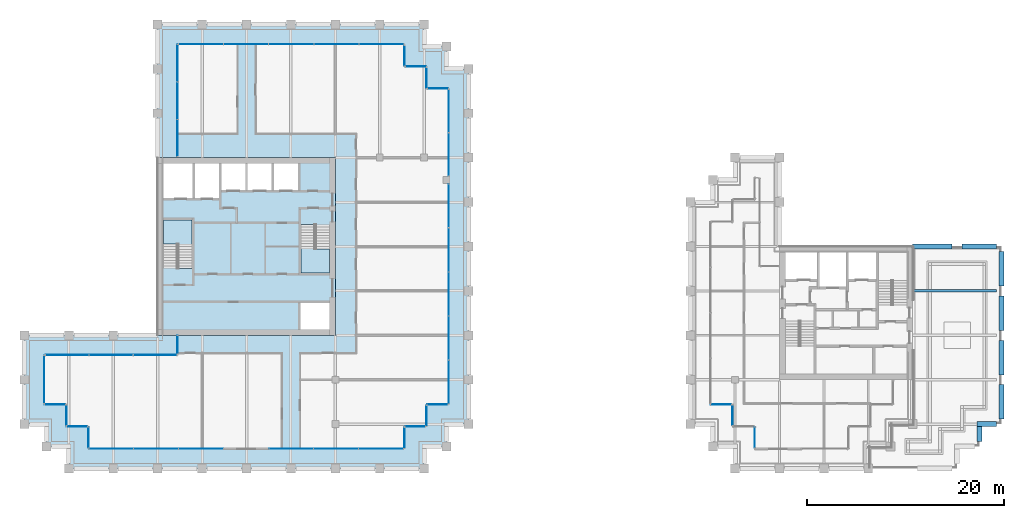
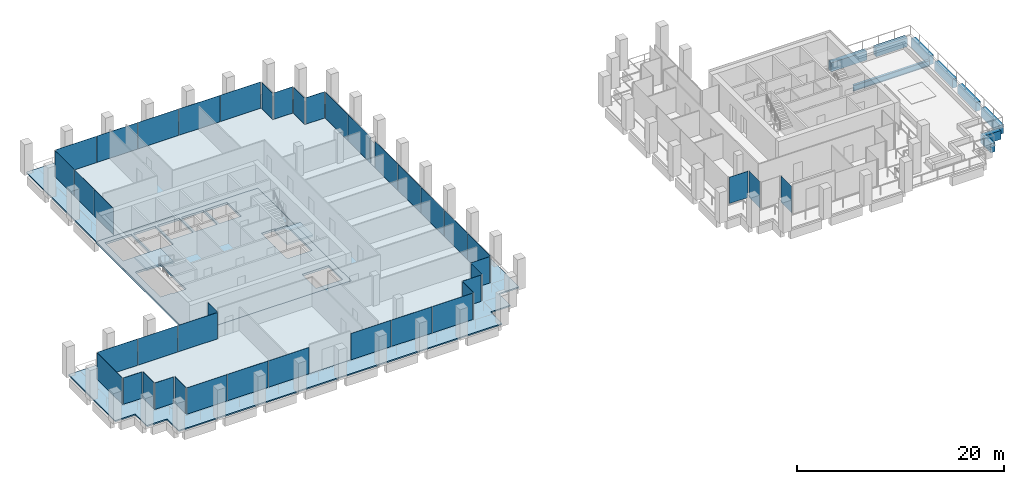
# One storey, part 36 of 44: 41 plates, 9 beams, 5 slabs, 26 elements without a shape of their own.
"""IFC4 building model written with IfcOpenShell, lengths in metres."""

from ifc_helpers import new_model, si_unit, direction, frame, origin, origin_2d, place, context, subcontext, project, spatial, polyline, rectangle, i_section, outline, extrude, material, layer, layer_set, material_profile, profile_set, type_object, element, aggregate, save


model = new_model("IFC4")

# Units and contexts
model_context = context("Model", 3, precision=1e-05, world=origin(), true_north=direction((0.0, 1.0)))
body_context = subcontext(model_context, "Body", "Model", "MODEL_VIEW")
ifc_project = project(units=[si_unit("LENGTHUNIT", "METRE"), si_unit("AREAUNIT", "SQUARE_METRE"), si_unit("VOLUMEUNIT", "CUBIC_METRE"), si_unit("PLANEANGLEUNIT", "RADIAN"), si_unit("MASSUNIT", "GRAM", prefix="KILO")], contexts=[model_context])

# Site, building, storey
site_placement = place(None, origin())
site = spatial("IfcSite", under=ifc_project, at=site_placement, CompositionType="ELEMENT")
building_placement = place(site_placement, origin())
building = spatial("IfcBuilding", under=site, at=building_placement, Name="Altepetl Exchange Towers", CompositionType="ELEMENT")
storey_placement = place(building_placement, frame((0.0, 0.0, 143.800048828125)))
storey = spatial("IfcBuildingStorey", under=building, at=storey_placement, Name="L35", CompositionType="ELEMENT", Elevation=143.800048828125)

# Beams
ifc_material_1 = material(Name="Steel S355", Category="steel")
ifc_material_profile_1 = material_profile(ifc_material_1, i_section(OverallWidth=0.25390625, OverallDepth=0.68798828125, WebThickness=0.01318359375, FlangeThickness=0.02099609375, at=origin_2d()), Name="W27X102")
ifc_profile_set_1 = profile_set([ifc_material_profile_1], Name="Steel S355")
beam_type_1 = type_object("IfcBeamType", Name="Floor beam W27X102", PredefinedType="BEAM", material=ifc_profile_set_1)
beam_1_placement = place(storey_placement, frame((117.0, 45.0, -0.494140625), z_axis=(1.0, 0.0, 0.0), x_axis=(0.0, 1.0, 0.0)))
element("IfcBeam", 1, at=beam_1_placement, inside=storey, type_object=beam_type_1, Name="bm:B:L35:t003", PredefinedType="BEAM", context=body_context, shape_type="SweptSolid", body=[
    extrude(i_section(OverallWidth=0.25390625, OverallDepth=0.68798828125, WebThickness=0.01318359375, FlangeThickness=0.02099609375, at=origin_2d()), origin(), (0.0, 0.0, 1.0), 8.5),
])
ifc_material_2 = material(Name="Concrete C50/60 precast with cantera amarilla facing", Category="concrete")
ifc_material_profile_2 = material_profile(ifc_material_2, rectangle(XDim=0.5, YDim=1.050048828125, at=origin_2d()), Name="500 x 1050")
ifc_profile_set_2 = profile_set([ifc_material_profile_2], Name="Concrete C50/60 precast with cantera amarilla facing")
beam_type_2 = type_object("IfcBeamType", Name="Spandrel beam 500x1050 cantera amarilla", PredefinedType="SPANDREL", material=ifc_profile_set_2)
beam_2_placement = place(storey_placement, frame((125.5, 49.5, -0.675048828125), z_axis=(-1.0, 0.0, 0.0), x_axis=(0.0, -1.0, 0.0)))
element("IfcBeam", 2, at=beam_2_placement, inside=storey, type_object=beam_type_2, Name="sp:B:L35:t009", PredefinedType="SPANDREL", context=body_context, shape_type="SweptSolid", body=[
    extrude(rectangle(XDim=0.5, YDim=1.050048828125, at=origin_2d()), origin(), (0.0, 0.0, 1.0), 3.5),
])
beam_3_placement = place(storey_placement, frame((121.0, 49.5, -0.675048828125), z_axis=(-1.0, 0.0, 0.0), x_axis=(0.0, -1.0, 0.0)))
element("IfcBeam", 3, at=beam_3_placement, inside=storey, type_object=beam_type_2, Name="sp:B:L35:t010", PredefinedType="SPANDREL", context=body_context, shape_type="SweptSolid", body=[
    extrude(rectangle(XDim=0.5, YDim=1.050048828125, at=origin_2d()), origin(), (0.0, 0.0, 1.0), 4.0),
])
ifc_material_3 = material(Name="Concrete C50/60 precast with cantera blanca facing", Category="concrete")
ifc_material_profile_3 = material_profile(ifc_material_3, rectangle(XDim=0.5, YDim=1.050048828125, at=origin_2d()), Name="500 x 1050")
ifc_profile_set_3 = profile_set([ifc_material_profile_3], Name="Concrete C50/60 precast with cantera blanca facing")
beam_type_3 = type_object("IfcBeamType", Name="Spandrel beam 500x1050 cantera blanca", PredefinedType="SPANDREL", material=ifc_profile_set_3)
beam_4_placement = place(storey_placement, frame((123.75, 29.75, -0.675048828125), z_axis=(0.0, 1.0, 0.0), x_axis=(-1.0, 0.0, 0.0)))
element("IfcBeam", 4, at=beam_4_placement, inside=storey, type_object=beam_type_3, Name="sp:B:L35:t003", PredefinedType="SPANDREL", context=body_context, shape_type="SweptSolid", body=[
    extrude(rectangle(XDim=0.5, YDim=1.050048828125, at=origin_2d()), origin(), (0.0, 0.0, 1.0), 1.5),
])
beam_5_placement = place(storey_placement, frame((123.5, 31.5, -0.675048828125), z_axis=(1.0, 0.0, 0.0), x_axis=(0.0, 1.0, 0.0)))
element("IfcBeam", 5, at=beam_5_placement, inside=storey, type_object=beam_type_3, Name="sp:B:L35:t004", PredefinedType="SPANDREL", context=body_context, shape_type="SweptSolid", body=[
    extrude(rectangle(XDim=0.5, YDim=1.050048828125, at=origin_2d()), origin(), (0.0, 0.0, 1.0), 2.0),
])
for number, where, z_axis, x_axis, name in (
    (6, (126.0, 32.0, -0.675048828125), (0.0, 1.0, 0.0), (-1.0, 0.0, 0.0), "sp:B:L35:t005"),
    (7, (126.0, 36.5, -0.675048828125), (0.0, 1.0, 0.0), (-1.0, 0.0, 0.0), "sp:B:L35:t006"),
    (8, (126.0, 41.0, -0.675048828125), (0.0, 1.0, 0.0), (-1.0, 0.0, 0.0), "sp:B:L35:t007"),
    (9, (126.0, 45.5, -0.675048828125), (0.0, 1.0, 0.0), (-1.0, 0.0, 0.0), "sp:B:L35:t008"),
):
    element("IfcBeam", number, at=place(storey_placement, frame(where, z_axis=z_axis, x_axis=x_axis)), inside=storey, type_object=beam_type_3, Name=name, PredefinedType="SPANDREL", context=body_context, shape_type="SweptSolid", body=[
        extrude(rectangle(XDim=0.5, YDim=1.050048828125, at=origin_2d()), origin(), (0.0, 0.0, 1.0), 3.5),
    ])

# Slabs
ifc_material_4 = material(Name="Concrete C40/50", Category="concrete")
ifc_layer_1 = layer(ifc_material_4, 0.14990234375)
ifc_layer_set_1 = layer_set([ifc_layer_1], Name="Concrete C40/50")
slab_type_1 = type_object("IfcSlabType", Name="Composite floor slab 150", PredefinedType="FLOOR", material=ifc_layer_set_1)
slab_1_placement = place(storey_placement, frame((0.0, 0.0, -0.150146484375)))
element("IfcSlab", 10, at=slab_1_placement, inside=storey, type_object=slab_type_1, Name="slab:A:L35:strip0", PredefinedType="FLOOR", context=body_context, shape_type="SweptSolid", body=[
    extrude(outline(polyline([(42.5, 70.0), (42.5, 58.5), (58.5, 58.5), (58.5, 40.5), (42.5, 40.5), (42.5, 38.5), (29.0, 38.5), (29.0, 33.5), (31.25, 33.5), (31.25, 31.25), (33.5, 31.25), (33.5, 29.0), (65.5, 29.0), (65.5, 31.25), (67.75, 31.25), (67.75, 33.5), (70.0, 33.5), (70.0, 65.5), (67.75, 65.5), (67.75, 67.75), (65.5, 67.75), (65.5, 70.0), (42.5, 70.0)])), origin(), (0.0, 0.0, 1.0), 0.150146484375),
])
ifc_layer_2 = layer(ifc_material_4, 0.25)
ifc_layer_set_2 = layer_set([ifc_layer_2], Name="Concrete C40/50")
slab_type_2 = type_object("IfcSlabType", Name="Core floor slab 250", PredefinedType="FLOOR", material=ifc_layer_set_2)
slab_2_placement = place(storey_placement, frame((0.0, 0.0, -0.25)))
element("IfcSlab", 11, at=slab_2_placement, inside=storey, type_object=slab_type_2, Name="slab:A:L35:core0", PredefinedType="FLOOR", context=body_context, shape_type="SweptSolid", body=[
    extrude(outline(polyline([(40.5, 40.5), (58.5, 40.5), (58.5, 58.5), (40.5, 58.5), (40.5, 40.5)]), holes=[polyline([(54.93310546875, 43.800048828125), (57.89990234375, 43.800048828125), (57.89990234375, 41.10009765625), (54.93310546875, 41.10009765625), (54.93310546875, 43.800048828125)]), polyline([(55.0, 51.7490234375), (56.5, 51.7490234375), (56.5, 51.64990234375), (57.800048828125, 51.64990234375), (57.800048828125, 46.800048828125), (55.0, 46.800048828125), (55.0, 51.7490234375)]), polyline([(44.0, 47.2509765625), (42.5, 47.2509765625), (42.5, 47.35009765625), (41.199951171875, 47.35009765625), (41.199951171875, 52.199951171875), (44.0, 52.199951171875), (44.0, 47.2509765625)]), polyline([(41.10009765625, 57.89990234375), (44.06689453125, 57.89990234375), (44.06689453125, 54.39990234375), (41.10009765625, 54.39990234375), (41.10009765625, 57.89990234375)]), polyline([(44.26708984375, 57.89990234375), (46.73291015625, 57.89990234375), (46.73291015625, 54.39990234375), (44.26708984375, 54.39990234375), (44.26708984375, 57.89990234375)]), polyline([(46.93310546875, 57.89990234375), (49.39990234375, 57.89990234375), (49.39990234375, 55.199951171875), (46.93310546875, 55.199951171875), (46.93310546875, 57.89990234375)]), polyline([(49.60009765625, 57.89990234375), (52.06689453125, 57.89990234375), (52.06689453125, 55.199951171875), (49.60009765625, 55.199951171875), (49.60009765625, 57.89990234375)]), polyline([(52.26708984375, 57.89990234375), (54.73291015625, 57.89990234375), (54.73291015625, 55.199951171875), (52.26708984375, 55.199951171875), (52.26708984375, 57.89990234375)])]), origin(), (0.0, 0.0, 1.0), 0.25),
])

# Curtain wall, plate
ifc_material_5 = material(Name="Aluminium 6063-T6 glazing", Category="aluminium")
curtain_wall_type = type_object("IfcCurtainWallType", Name="Loggia glazing system", PredefinedType="NOTDEFINED", material=ifc_material_5)
curtain_wall_1_placement = place(storey_placement, origin())
curtain_wall_1 = element("IfcCurtainWall", 12, at=curtain_wall_1_placement, inside=storey, type_object=curtain_wall_type, Name="CW1 run", PredefinedType="NOTDEFINED")
ifc_material_6 = material(Name="Glass 6-16-6 low emissivity", Category="glass")
ifc_layer_3 = layer(ifc_material_6, 0.028076171875)
ifc_layer_set_3 = layer_set([ifc_layer_3], Name="Glass 6-16-6 low emissivity")
plate_type = type_object("IfcPlateType", Name="Glass panel 28 double glazed", PredefinedType="CURTAIN_PANEL", material=ifc_layer_set_3)
plate_1_placement = place(storey_placement, frame((42.5, 39.53759765625, 0.0), z_axis=(0.0, 0.0, 1.0), x_axis=(0.0, -1.0, 0.0)))
plate_1 = element("IfcPlate", 13, at=plate_1_placement, type_object=plate_type, Name="GP1 panel", PredefinedType="CURTAIN_PANEL", context=body_context, shape_type="SweptSolid", body=[
    extrude(rectangle(XDim=1.804931640625, YDim=0.028076171875, at=origin_2d()), origin(), (0.0, 0.0, 1.0), 3.10009765625),
])
aggregate(curtain_wall_1, [plate_1])

# Curtain wall, plates
curtain_wall_2_placement = place(storey_placement, origin())
curtain_wall_2 = element("IfcCurtainWall", 14, at=curtain_wall_2_placement, inside=storey, type_object=curtain_wall_type, Name="CW1 run", PredefinedType="NOTDEFINED")
plate_2_placement = place(storey_placement, frame((40.24755859375, 38.5, 0.0), z_axis=(0.0, 0.0, 1.0), x_axis=(-1.0, 0.0, 0.0)))
plate_2 = element("IfcPlate", 15, at=plate_2_placement, type_object=plate_type, Name="GP1 panel", PredefinedType="CURTAIN_PANEL", context=body_context, shape_type="SweptSolid", body=[
    extrude(rectangle(XDim=4.385009765625, YDim=0.028076171875, at=origin_2d()), origin(), (0.0, 0.0, 1.0), 3.10009765625),
])
plate_3_placement = place(storey_placement, frame((35.78759765625, 38.5, 0.0), z_axis=(0.0, 0.0, 1.0), x_axis=(-1.0, 0.0, 0.0)))
plate_3 = element("IfcPlate", 16, at=plate_3_placement, type_object=plate_type, Name="GP1 panel", PredefinedType="CURTAIN_PANEL", context=body_context, shape_type="SweptSolid", body=[
    extrude(rectangle(XDim=4.4150390625, YDim=0.028076171875, at=origin_2d()), origin(), (0.0, 0.0, 1.0), 3.10009765625),
])
plate_4_placement = place(storey_placement, frame((31.327392578125, 38.5, 0.0), z_axis=(0.0, 0.0, 1.0), x_axis=(-1.0, 0.0, 0.0)))
plate_4 = element("IfcPlate", 17, at=plate_4_placement, type_object=plate_type, Name="GP1 panel", PredefinedType="CURTAIN_PANEL", context=body_context, shape_type="SweptSolid", body=[
    extrude(rectangle(XDim=4.385009765625, YDim=0.028076171875, at=origin_2d()), origin(), (0.0, 0.0, 1.0), 3.10009765625),
])
aggregate(curtain_wall_2, [plate_2, plate_3, plate_4])

# Curtain wall, plate
curtain_wall_3_placement = place(storey_placement, origin())
curtain_wall_3 = element("IfcCurtainWall", 18, at=curtain_wall_3_placement, inside=storey, type_object=curtain_wall_type, Name="CW1 run", PredefinedType="NOTDEFINED")
plate_5_placement = place(storey_placement, frame((29.0, 36.03759765625, 0.0), z_axis=(0.0, 0.0, 1.0), x_axis=(0.0, -1.0, 0.0)))
plate_5 = element("IfcPlate", 19, at=plate_5_placement, type_object=plate_type, Name="GP1 panel", PredefinedType="CURTAIN_PANEL", context=body_context, shape_type="SweptSolid", body=[
    extrude(rectangle(XDim=4.804931640625, YDim=0.028076171875, at=origin_2d()), origin(), (0.0, 0.0, 1.0), 3.10009765625),
])
aggregate(curtain_wall_3, [plate_5])

curtain_wall_4_placement = place(storey_placement, origin())
curtain_wall_4 = element("IfcCurtainWall", 20, at=curtain_wall_4_placement, inside=storey, type_object=curtain_wall_type, Name="CW1 run", PredefinedType="NOTDEFINED")
plate_6_placement = place(storey_placement, frame((30.08740234375, 33.5, 0.0)))
plate_6 = element("IfcPlate", 21, at=plate_6_placement, type_object=plate_type, Name="GP1 panel", PredefinedType="CURTAIN_PANEL", context=body_context, shape_type="SweptSolid", body=[
    extrude(rectangle(XDim=2.054931640625, YDim=0.028076171875, at=origin_2d()), origin(), (0.0, 0.0, 1.0), 3.10009765625),
])
aggregate(curtain_wall_4, [plate_6])

curtain_wall_5_placement = place(storey_placement, origin())
curtain_wall_5 = element("IfcCurtainWall", 22, at=curtain_wall_5_placement, inside=storey, type_object=curtain_wall_type, Name="CW1 run", PredefinedType="NOTDEFINED")
plate_7_placement = place(storey_placement, frame((31.25, 32.41259765625, 0.0), z_axis=(0.0, 0.0, 1.0), x_axis=(0.0, -1.0, 0.0)))
plate_7 = element("IfcPlate", 23, at=plate_7_placement, type_object=plate_type, Name="GP1 panel", PredefinedType="CURTAIN_PANEL", context=body_context, shape_type="SweptSolid", body=[
    extrude(rectangle(XDim=2.054931640625, YDim=0.028076171875, at=origin_2d()), origin(), (0.0, 0.0, 1.0), 3.10009765625),
])
aggregate(curtain_wall_5, [plate_7])

curtain_wall_6_placement = place(storey_placement, origin())
curtain_wall_6 = element("IfcCurtainWall", 24, at=curtain_wall_6_placement, inside=storey, type_object=curtain_wall_type, Name="CW1 run", PredefinedType="NOTDEFINED")
plate_8_placement = place(storey_placement, frame((32.33740234375, 31.25, 0.0)))
plate_8 = element("IfcPlate", 25, at=plate_8_placement, type_object=plate_type, Name="GP1 panel", PredefinedType="CURTAIN_PANEL", context=body_context, shape_type="SweptSolid", body=[
    extrude(rectangle(XDim=2.054931640625, YDim=0.028076171875, at=origin_2d()), origin(), (0.0, 0.0, 1.0), 3.10009765625),
])
aggregate(curtain_wall_6, [plate_8])

curtain_wall_7_placement = place(storey_placement, origin())
curtain_wall_7 = element("IfcCurtainWall", 26, at=curtain_wall_7_placement, inside=storey, type_object=curtain_wall_type, Name="CW1 run", PredefinedType="NOTDEFINED")
plate_9_placement = place(storey_placement, frame((33.5, 30.16259765625, 0.0), z_axis=(0.0, 0.0, 1.0), x_axis=(0.0, -1.0, 0.0)))
plate_9 = element("IfcPlate", 27, at=plate_9_placement, type_object=plate_type, Name="GP1 panel", PredefinedType="CURTAIN_PANEL", context=body_context, shape_type="SweptSolid", body=[
    extrude(rectangle(XDim=2.054931640625, YDim=0.028076171875, at=origin_2d()), origin(), (0.0, 0.0, 1.0), 3.10009765625),
])
aggregate(curtain_wall_7, [plate_9])

# Curtain wall, plates
curtain_wall_8_placement = place(storey_placement, origin())
curtain_wall_8 = element("IfcCurtainWall", 28, at=curtain_wall_8_placement, inside=storey, type_object=curtain_wall_type, Name="CW1 run", PredefinedType="NOTDEFINED")
plate_10_placement = place(storey_placement, frame((35.79541015625, 29.0, 0.0)))
plate_10 = element("IfcPlate", 29, at=plate_10_placement, type_object=plate_type, Name="GP1 panel", PredefinedType="CURTAIN_PANEL", context=body_context, shape_type="SweptSolid", body=[
    extrude(rectangle(XDim=4.470703125, YDim=0.028076171875, at=origin_2d()), origin(), (0.0, 0.0, 1.0), 3.10009765625),
])
plate_11_placement = place(storey_placement, frame((40.341064453125, 29.0, 0.0)))
plate_11 = element("IfcPlate", 30, at=plate_11_placement, type_object=plate_type, Name="GP1 panel", PredefinedType="CURTAIN_PANEL", context=body_context, shape_type="SweptSolid", body=[
    extrude(rectangle(XDim=4.500732421875, YDim=0.028076171875, at=origin_2d()), origin(), (0.0, 0.0, 1.0), 3.10009765625),
])
plate_12_placement = place(storey_placement, frame((44.88671875, 29.0, 0.0)))
plate_12 = element("IfcPlate", 31, at=plate_12_placement, type_object=plate_type, Name="GP1 panel", PredefinedType="CURTAIN_PANEL", context=body_context, shape_type="SweptSolid", body=[
    extrude(rectangle(XDim=4.470703125, YDim=0.028076171875, at=origin_2d()), origin(), (0.0, 0.0, 1.0), 3.10009765625),
])
aggregate(curtain_wall_8, [plate_10, plate_11, plate_12])

curtain_wall_9_placement = place(storey_placement, origin())
curtain_wall_9 = element("IfcCurtainWall", 32, at=curtain_wall_9_placement, inside=storey, type_object=curtain_wall_type, Name="CW1 run", PredefinedType="NOTDEFINED")
plate_13_placement = place(storey_placement, frame((54.038330078125, 29.0, 0.0)))
plate_13 = element("IfcPlate", 33, at=plate_13_placement, type_object=plate_type, Name="GP1 panel", PredefinedType="CURTAIN_PANEL", context=body_context, shape_type="SweptSolid", body=[
    extrude(rectangle(XDim=4.470703125, YDim=0.028076171875, at=origin_2d()), origin(), (0.0, 0.0, 1.0), 3.10009765625),
])
plate_14_placement = place(storey_placement, frame((58.583984375, 29.0, 0.0)))
plate_14 = element("IfcPlate", 34, at=plate_14_placement, type_object=plate_type, Name="GP1 panel", PredefinedType="CURTAIN_PANEL", context=body_context, shape_type="SweptSolid", body=[
    extrude(rectangle(XDim=4.500732421875, YDim=0.028076171875, at=origin_2d()), origin(), (0.0, 0.0, 1.0), 3.10009765625),
])
plate_15_placement = place(storey_placement, frame((63.129638671875, 29.0, 0.0)))
plate_15 = element("IfcPlate", 35, at=plate_15_placement, type_object=plate_type, Name="GP1 panel", PredefinedType="CURTAIN_PANEL", context=body_context, shape_type="SweptSolid", body=[
    extrude(rectangle(XDim=4.470703125, YDim=0.028076171875, at=origin_2d()), origin(), (0.0, 0.0, 1.0), 3.10009765625),
])
aggregate(curtain_wall_9, [plate_13, plate_14, plate_15])

# Curtain wall, plate
curtain_wall_10_placement = place(storey_placement, origin())
curtain_wall_10 = element("IfcCurtainWall", 36, at=curtain_wall_10_placement, inside=storey, type_object=curtain_wall_type, Name="CW1 run", PredefinedType="NOTDEFINED")
plate_16_placement = place(storey_placement, frame((65.5, 30.08740234375, 0.0), z_axis=(0.0, 0.0, 1.0), x_axis=(0.0, 1.0, 0.0)))
plate_16 = element("IfcPlate", 37, at=plate_16_placement, type_object=plate_type, Name="GP1 panel", PredefinedType="CURTAIN_PANEL", context=body_context, shape_type="SweptSolid", body=[
    extrude(rectangle(XDim=2.054931640625, YDim=0.028076171875, at=origin_2d()), origin(), (0.0, 0.0, 1.0), 3.10009765625),
])
aggregate(curtain_wall_10, [plate_16])

curtain_wall_11_placement = place(storey_placement, origin())
curtain_wall_11 = element("IfcCurtainWall", 38, at=curtain_wall_11_placement, inside=storey, type_object=curtain_wall_type, Name="CW1 run", PredefinedType="NOTDEFINED")
plate_17_placement = place(storey_placement, frame((66.58740234375, 31.25, 0.0)))
plate_17 = element("IfcPlate", 39, at=plate_17_placement, type_object=plate_type, Name="GP1 panel", PredefinedType="CURTAIN_PANEL", context=body_context, shape_type="SweptSolid", body=[
    extrude(rectangle(XDim=2.054931640625, YDim=0.028076171875, at=origin_2d()), origin(), (0.0, 0.0, 1.0), 3.10009765625),
])
aggregate(curtain_wall_11, [plate_17])

curtain_wall_12_placement = place(storey_placement, origin())
curtain_wall_12 = element("IfcCurtainWall", 40, at=curtain_wall_12_placement, inside=storey, type_object=curtain_wall_type, Name="CW1 run", PredefinedType="NOTDEFINED")
plate_18_placement = place(storey_placement, frame((67.75, 32.33740234375, 0.0), z_axis=(0.0, 0.0, 1.0), x_axis=(0.0, 1.0, 0.0)))
plate_18 = element("IfcPlate", 41, at=plate_18_placement, type_object=plate_type, Name="GP1 panel", PredefinedType="CURTAIN_PANEL", context=body_context, shape_type="SweptSolid", body=[
    extrude(rectangle(XDim=2.054931640625, YDim=0.028076171875, at=origin_2d()), origin(), (0.0, 0.0, 1.0), 3.10009765625),
])
aggregate(curtain_wall_12, [plate_18])

curtain_wall_13_placement = place(storey_placement, origin())
curtain_wall_13 = element("IfcCurtainWall", 42, at=curtain_wall_13_placement, inside=storey, type_object=curtain_wall_type, Name="CW1 run", PredefinedType="NOTDEFINED")
plate_19_placement = place(storey_placement, frame((68.83740234375, 33.5, 0.0)))
plate_19 = element("IfcPlate", 43, at=plate_19_placement, type_object=plate_type, Name="GP1 panel", PredefinedType="CURTAIN_PANEL", context=body_context, shape_type="SweptSolid", body=[
    extrude(rectangle(XDim=2.054931640625, YDim=0.028076171875, at=origin_2d()), origin(), (0.0, 0.0, 1.0), 3.10009765625),
])
aggregate(curtain_wall_13, [plate_19])

# Curtain wall, plates
curtain_wall_14_placement = place(storey_placement, origin())
curtain_wall_14 = element("IfcCurtainWall", 44, at=curtain_wall_14_placement, inside=storey, type_object=curtain_wall_type, Name="CW1 run", PredefinedType="NOTDEFINED")
plate_20_placement = place(storey_placement, frame((70.0, 35.7529296875, 0.0), z_axis=(0.0, 0.0, 1.0), x_axis=(0.0, 1.0, 0.0)))
plate_20 = element("IfcPlate", 45, at=plate_20_placement, type_object=plate_type, Name="GP1 panel", PredefinedType="CURTAIN_PANEL", context=body_context, shape_type="SweptSolid", body=[
    extrude(rectangle(XDim=4.385986328125, YDim=0.028076171875, at=origin_2d()), origin(), (0.0, 0.0, 1.0), 3.10009765625),
])
plate_21_placement = place(storey_placement, frame((70.0, 40.214111328125, 0.0), z_axis=(0.0, 0.0, 1.0), x_axis=(0.0, 1.0, 0.0)))
plate_21 = element("IfcPlate", 46, at=plate_21_placement, type_object=plate_type, Name="GP1 panel", PredefinedType="CURTAIN_PANEL", context=body_context, shape_type="SweptSolid", body=[
    extrude(rectangle(XDim=4.416015625, YDim=0.028076171875, at=origin_2d()), origin(), (0.0, 0.0, 1.0), 3.10009765625),
])
plate_22_placement = place(storey_placement, frame((70.0, 44.68994140625, 0.0), z_axis=(0.0, 0.0, 1.0), x_axis=(0.0, 1.0, 0.0)))
plate_22 = element("IfcPlate", 47, at=plate_22_placement, type_object=plate_type, Name="GP1 panel", PredefinedType="CURTAIN_PANEL", context=body_context, shape_type="SweptSolid", body=[
    extrude(rectangle(XDim=4.416015625, YDim=0.028076171875, at=origin_2d()), origin(), (0.0, 0.0, 1.0), 3.10009765625),
])
plate_23_placement = place(storey_placement, frame((70.0, 49.166015625, 0.0), z_axis=(0.0, 0.0, 1.0), x_axis=(0.0, 1.0, 0.0)))
plate_23 = element("IfcPlate", 48, at=plate_23_placement, type_object=plate_type, Name="GP1 panel", PredefinedType="CURTAIN_PANEL", context=body_context, shape_type="SweptSolid", body=[
    extrude(rectangle(XDim=4.416015625, YDim=0.028076171875, at=origin_2d()), origin(), (0.0, 0.0, 1.0), 3.10009765625),
])
plate_24_placement = place(storey_placement, frame((70.0, 53.626953125, 0.0), z_axis=(0.0, 0.0, 1.0), x_axis=(0.0, 1.0, 0.0)))
plate_24 = element("IfcPlate", 49, at=plate_24_placement, type_object=plate_type, Name="GP1 panel", PredefinedType="CURTAIN_PANEL", context=body_context, shape_type="SweptSolid", body=[
    extrude(rectangle(XDim=4.385986328125, YDim=0.028076171875, at=origin_2d()), origin(), (0.0, 0.0, 1.0), 3.10009765625),
])
aggregate(curtain_wall_14, [plate_20, plate_21, plate_22, plate_23, plate_24])

curtain_wall_15_placement = place(storey_placement, origin())
curtain_wall_15 = element("IfcCurtainWall", 50, at=curtain_wall_15_placement, inside=storey, type_object=curtain_wall_type, Name="CW1 run", PredefinedType="NOTDEFINED")
plate_25_placement = place(storey_placement, frame((70.0, 58.836181640625, 0.0), z_axis=(0.0, 0.0, 1.0), x_axis=(0.0, 1.0, 0.0)))
plate_25 = element("IfcPlate", 51, at=plate_25_placement, type_object=plate_type, Name="GP1 panel", PredefinedType="CURTAIN_PANEL", context=body_context, shape_type="SweptSolid", body=[
    extrude(rectangle(XDim=4.3125, YDim=0.028076171875, at=origin_2d()), origin(), (0.0, 0.0, 1.0), 3.10009765625),
])
plate_26_placement = place(storey_placement, frame((70.0, 63.208740234375, 0.0), z_axis=(0.0, 0.0, 1.0), x_axis=(0.0, 1.0, 0.0)))
plate_26 = element("IfcPlate", 52, at=plate_26_placement, type_object=plate_type, Name="GP1 panel", PredefinedType="CURTAIN_PANEL", context=body_context, shape_type="SweptSolid", body=[
    extrude(rectangle(XDim=4.3125, YDim=0.028076171875, at=origin_2d()), origin(), (0.0, 0.0, 1.0), 3.10009765625),
])
aggregate(curtain_wall_15, [plate_25, plate_26])

# Curtain wall, plate
curtain_wall_16_placement = place(storey_placement, origin())
curtain_wall_16 = element("IfcCurtainWall", 53, at=curtain_wall_16_placement, inside=storey, type_object=curtain_wall_type, Name="CW1 run", PredefinedType="NOTDEFINED")
plate_27_placement = place(storey_placement, frame((68.91259765625, 65.5, 0.0), z_axis=(0.0, 0.0, 1.0), x_axis=(-1.0, 0.0, 0.0)))
plate_27 = element("IfcPlate", 54, at=plate_27_placement, type_object=plate_type, Name="GP1 panel", PredefinedType="CURTAIN_PANEL", context=body_context, shape_type="SweptSolid", body=[
    extrude(rectangle(XDim=2.054931640625, YDim=0.028076171875, at=origin_2d()), origin(), (0.0, 0.0, 1.0), 3.10009765625),
])
aggregate(curtain_wall_16, [plate_27])

curtain_wall_17_placement = place(storey_placement, origin())
curtain_wall_17 = element("IfcCurtainWall", 55, at=curtain_wall_17_placement, inside=storey, type_object=curtain_wall_type, Name="CW1 run", PredefinedType="NOTDEFINED")
plate_28_placement = place(storey_placement, frame((67.75, 66.58740234375, 0.0), z_axis=(0.0, 0.0, 1.0), x_axis=(0.0, 1.0, 0.0)))
plate_28 = element("IfcPlate", 56, at=plate_28_placement, type_object=plate_type, Name="GP1 panel", PredefinedType="CURTAIN_PANEL", context=body_context, shape_type="SweptSolid", body=[
    extrude(rectangle(XDim=2.054931640625, YDim=0.028076171875, at=origin_2d()), origin(), (0.0, 0.0, 1.0), 3.10009765625),
])
aggregate(curtain_wall_17, [plate_28])

curtain_wall_18_placement = place(storey_placement, origin())
curtain_wall_18 = element("IfcCurtainWall", 57, at=curtain_wall_18_placement, inside=storey, type_object=curtain_wall_type, Name="CW1 run", PredefinedType="NOTDEFINED")
plate_29_placement = place(storey_placement, frame((66.66259765625, 67.75, 0.0), z_axis=(0.0, 0.0, 1.0), x_axis=(-1.0, 0.0, 0.0)))
plate_29 = element("IfcPlate", 58, at=plate_29_placement, type_object=plate_type, Name="GP1 panel", PredefinedType="CURTAIN_PANEL", context=body_context, shape_type="SweptSolid", body=[
    extrude(rectangle(XDim=2.054931640625, YDim=0.028076171875, at=origin_2d()), origin(), (0.0, 0.0, 1.0), 3.10009765625),
])
aggregate(curtain_wall_18, [plate_29])

curtain_wall_19_placement = place(storey_placement, origin())
curtain_wall_19 = element("IfcCurtainWall", 59, at=curtain_wall_19_placement, inside=storey, type_object=curtain_wall_type, Name="CW1 run", PredefinedType="NOTDEFINED")
plate_30_placement = place(storey_placement, frame((65.5, 68.83740234375, 0.0), z_axis=(0.0, 0.0, 1.0), x_axis=(0.0, 1.0, 0.0)))
plate_30 = element("IfcPlate", 60, at=plate_30_placement, type_object=plate_type, Name="GP1 panel", PredefinedType="CURTAIN_PANEL", context=body_context, shape_type="SweptSolid", body=[
    extrude(rectangle(XDim=2.054931640625, YDim=0.028076171875, at=origin_2d()), origin(), (0.0, 0.0, 1.0), 3.10009765625),
])
aggregate(curtain_wall_19, [plate_30])

# Curtain wall, plates
curtain_wall_20_placement = place(storey_placement, origin())
curtain_wall_20 = element("IfcCurtainWall", 61, at=curtain_wall_20_placement, inside=storey, type_object=curtain_wall_type, Name="CW1 run", PredefinedType="NOTDEFINED")
plate_31_placement = place(storey_placement, frame((63.1923828125, 70.0, 0.0), z_axis=(0.0, 0.0, 1.0), x_axis=(-1.0, 0.0, 0.0)))
plate_31 = element("IfcPlate", 62, at=plate_31_placement, type_object=plate_type, Name="GP1 panel", PredefinedType="CURTAIN_PANEL", context=body_context, shape_type="SweptSolid", body=[
    extrude(rectangle(XDim=4.4951171875, YDim=0.028076171875, at=origin_2d()), origin(), (0.0, 0.0, 1.0), 3.10009765625),
])
plate_32_placement = place(storey_placement, frame((58.62255859375, 70.0, 0.0), z_axis=(0.0, 0.0, 1.0), x_axis=(-1.0, 0.0, 0.0)))
plate_32 = element("IfcPlate", 63, at=plate_32_placement, type_object=plate_type, Name="GP1 panel", PredefinedType="CURTAIN_PANEL", context=body_context, shape_type="SweptSolid", body=[
    extrude(rectangle(XDim=4.52490234375, YDim=0.028076171875, at=origin_2d()), origin(), (0.0, 0.0, 1.0), 3.10009765625),
])
plate_33_placement = place(storey_placement, frame((54.03759765625, 70.0, 0.0), z_axis=(0.0, 0.0, 1.0), x_axis=(-1.0, 0.0, 0.0)))
plate_33 = element("IfcPlate", 64, at=plate_33_placement, type_object=plate_type, Name="GP1 panel", PredefinedType="CURTAIN_PANEL", context=body_context, shape_type="SweptSolid", body=[
    extrude(rectangle(XDim=4.52490234375, YDim=0.028076171875, at=origin_2d()), origin(), (0.0, 0.0, 1.0), 3.10009765625),
])
plate_34_placement = place(storey_placement, frame((49.452392578125, 70.0, 0.0), z_axis=(0.0, 0.0, 1.0), x_axis=(-1.0, 0.0, 0.0)))
plate_34 = element("IfcPlate", 65, at=plate_34_placement, type_object=plate_type, Name="GP1 panel", PredefinedType="CURTAIN_PANEL", context=body_context, shape_type="SweptSolid", body=[
    extrude(rectangle(XDim=4.52490234375, YDim=0.028076171875, at=origin_2d()), origin(), (0.0, 0.0, 1.0), 3.10009765625),
])
plate_35_placement = place(storey_placement, frame((44.882568359375, 70.0, 0.0), z_axis=(0.0, 0.0, 1.0), x_axis=(-1.0, 0.0, 0.0)))
plate_35 = element("IfcPlate", 66, at=plate_35_placement, type_object=plate_type, Name="GP1 panel", PredefinedType="CURTAIN_PANEL", context=body_context, shape_type="SweptSolid", body=[
    extrude(rectangle(XDim=4.4951171875, YDim=0.028076171875, at=origin_2d()), origin(), (0.0, 0.0, 1.0), 3.10009765625),
])
aggregate(curtain_wall_20, [plate_31, plate_32, plate_33, plate_34, plate_35])

curtain_wall_21_placement = place(storey_placement, origin())
curtain_wall_21 = element("IfcCurtainWall", 67, at=curtain_wall_21_placement, inside=storey, type_object=curtain_wall_type, Name="CW1 run", PredefinedType="NOTDEFINED")
plate_36_placement = place(storey_placement, frame((42.5, 68.080810546875, 0.0), z_axis=(0.0, 0.0, 1.0), x_axis=(0.0, -1.0, 0.0)))
plate_36 = element("IfcPlate", 68, at=plate_36_placement, type_object=plate_type, Name="GP1 panel", PredefinedType="CURTAIN_PANEL", context=body_context, shape_type="SweptSolid", body=[
    extrude(rectangle(XDim=3.71826171875, YDim=0.028076171875, at=origin_2d()), origin(), (0.0, 0.0, 1.0), 3.10009765625),
])
plate_37_placement = place(storey_placement, frame((42.5, 64.28759765625, 0.0), z_axis=(0.0, 0.0, 1.0), x_axis=(0.0, -1.0, 0.0)))
plate_37 = element("IfcPlate", 69, at=plate_37_placement, type_object=plate_type, Name="GP1 panel", PredefinedType="CURTAIN_PANEL", context=body_context, shape_type="SweptSolid", body=[
    extrude(rectangle(XDim=3.748291015625, YDim=0.028076171875, at=origin_2d()), origin(), (0.0, 0.0, 1.0), 3.10009765625),
])
plate_38_placement = place(storey_placement, frame((42.5, 60.494140625, 0.0), z_axis=(0.0, 0.0, 1.0), x_axis=(0.0, -1.0, 0.0)))
plate_38 = element("IfcPlate", 70, at=plate_38_placement, type_object=plate_type, Name="GP1 panel", PredefinedType="CURTAIN_PANEL", context=body_context, shape_type="SweptSolid", body=[
    extrude(rectangle(XDim=3.71826171875, YDim=0.028076171875, at=origin_2d()), origin(), (0.0, 0.0, 1.0), 3.10009765625),
])
aggregate(curtain_wall_21, [plate_36, plate_37, plate_38])

# Curtain wall, plate
curtain_wall_22_placement = place(storey_placement, origin())
curtain_wall_22 = element("IfcCurtainWall", 71, at=curtain_wall_22_placement, inside=storey, type_object=curtain_wall_type, Name="CW1 run", PredefinedType="NOTDEFINED")
plate_39_placement = place(storey_placement, frame((101.0, 30.16259765625, 0.0), z_axis=(0.0, 0.0, 1.0), x_axis=(0.0, -1.0, 0.0)))
plate_39 = element("IfcPlate", 72, at=plate_39_placement, type_object=plate_type, Name="GP1 panel", PredefinedType="CURTAIN_PANEL", context=body_context, shape_type="SweptSolid", body=[
    extrude(rectangle(XDim=2.054931640625, YDim=0.028076171875, at=origin_2d()), origin(), (0.0, 0.0, 1.0), 3.10009765625),
])
aggregate(curtain_wall_22, [plate_39])

curtain_wall_23_placement = place(storey_placement, origin())
curtain_wall_23 = element("IfcCurtainWall", 73, at=curtain_wall_23_placement, inside=storey, type_object=curtain_wall_type, Name="CW1 run", PredefinedType="NOTDEFINED")
plate_40_placement = place(storey_placement, frame((97.58740234375, 33.5, 0.0)))
plate_40 = element("IfcPlate", 74, at=plate_40_placement, type_object=plate_type, Name="GP1 panel", PredefinedType="CURTAIN_PANEL", context=body_context, shape_type="SweptSolid", body=[
    extrude(rectangle(XDim=2.054931640625, YDim=0.028076171875, at=origin_2d()), origin(), (0.0, 0.0, 1.0), 3.10009765625),
])
aggregate(curtain_wall_23, [plate_40])

curtain_wall_24_placement = place(storey_placement, origin())
curtain_wall_24 = element("IfcCurtainWall", 75, at=curtain_wall_24_placement, inside=storey, type_object=curtain_wall_type, Name="CW1 run", PredefinedType="NOTDEFINED")
plate_41_placement = place(storey_placement, frame((98.75, 32.41259765625, 0.0), z_axis=(0.0, 0.0, 1.0), x_axis=(0.0, -1.0, 0.0)))
plate_41 = element("IfcPlate", 76, at=plate_41_placement, type_object=plate_type, Name="GP1 panel", PredefinedType="CURTAIN_PANEL", context=body_context, shape_type="SweptSolid", body=[
    extrude(rectangle(XDim=2.054931640625, YDim=0.028076171875, at=origin_2d()), origin(), (0.0, 0.0, 1.0), 3.10009765625),
])
aggregate(curtain_wall_24, [plate_41])

# Slab
ifc_layer_4 = layer(ifc_material_4, 0.14990234375)
ifc_layer_set_4 = layer_set([ifc_layer_4], Name="Concrete C40/50")
slab_type_3 = type_object("IfcSlabType", Name="Loggia slab 150", PredefinedType="FLOOR", material=ifc_layer_set_4)
slab_3_placement = place(storey_placement, frame((0.0, 0.0, -0.150146484375)))
element("IfcSlab", 77, at=slab_3_placement, inside=storey, type_object=slab_type_3, Name="slab:A:L35:loggia0", PredefinedType="FLOOR", context=body_context, shape_type="SweptSolid", body=[
    extrude(outline(polyline([(40.5, 72.0), (40.5, 58.5), (42.5, 58.5), (42.5, 70.0), (65.5, 70.0), (65.5, 67.75), (67.75, 67.75), (67.75, 65.5), (70.0, 65.5), (70.0, 33.5), (67.75, 33.5), (67.75, 31.25), (65.5, 31.25), (65.5, 29.0), (33.5, 29.0), (33.5, 31.25), (31.25, 31.25), (31.25, 33.5), (29.0, 33.5), (29.0, 38.5), (42.5, 38.5), (42.5, 40.5), (40.5, 40.5), (27.0, 40.5), (27.0, 31.5), (29.25, 31.5), (29.25, 29.25), (31.5, 29.25), (31.5, 27.0), (58.5, 27.0), (67.5, 27.0), (67.5, 29.25), (69.75, 29.25), (69.75, 31.5), (72.0, 31.5), (72.0, 58.5), (72.0, 67.5), (69.75, 67.5), (69.75, 69.75), (67.5, 69.75), (67.5, 72.0), (40.5, 72.0)])), origin(), (0.0, 0.0, 1.0), 0.150146484375),
])

# Stair, slab
stair_type = type_object("IfcStairType", Name="Exit stair 1400 flights dogleg", PredefinedType="HALF_TURN_STAIR", material=ifc_material_4)
stair_1_placement = place(storey_placement, origin())
stair_1 = element("IfcStair", 78, at=stair_1_placement, inside=storey, type_object=stair_type, Name="Exit stair 1", PredefinedType="HALF_TURN_STAIR")
ifc_layer_5 = layer(ifc_material_4, 0.199951171875)
ifc_layer_set_5 = layer_set([ifc_layer_5], Name="Concrete C40/50")
slab_type_4 = type_object("IfcSlabType", Name="Stair landing 200 reinforced concrete", PredefinedType="LANDING", material=ifc_layer_set_5)
slab_4_placement = place(storey_placement, frame((0.0, 0.0, 1.599853515625)))
slab_4 = element("IfcSlab", 79, at=slab_4_placement, type_object=slab_type_4, Name="ST-A1e landing 1", PredefinedType="LANDING", context=body_context, shape_type="SweptSolid", body=[
    extrude(outline(polyline([(44.0, 49.669921875), (42.60009765625, 49.669921875), (42.60009765625, 49.77001953125), (42.5, 49.77001953125), (42.5, 49.769287109375), (41.10009765625, 49.769287109375), (41.10009765625, 49.77001953125), (41.10009765625, 52.199951171875), (44.0, 52.199951171875), (44.0, 49.77001953125), (44.0, 49.669921875)])), origin(), (0.0, 0.0, 1.0), 0.2001953125),
])
aggregate(stair_1, [slab_4])

stair_2_placement = place(storey_placement, origin())
stair_2 = element("IfcStair", 80, at=stair_2_placement, inside=storey, type_object=stair_type, Name="Exit stair 2", PredefinedType="HALF_TURN_STAIR")
slab_5_placement = place(storey_placement, frame((0.0, 0.0, 1.599853515625)))
slab_5 = element("IfcSlab", 81, at=slab_5_placement, type_object=slab_type_4, Name="ST-A2e landing 1", PredefinedType="LANDING", context=body_context, shape_type="SweptSolid", body=[
    extrude(outline(polyline([(57.89990234375, 46.800048828125), (55.0, 46.800048828125), (55.0, 49.22998046875), (55.0, 49.330078125), (56.39990234375, 49.330078125), (56.39990234375, 49.22998046875), (56.5, 49.22998046875), (56.5, 49.230712890625), (57.89990234375, 49.230712890625), (57.89990234375, 49.22998046875), (57.89990234375, 46.800048828125)])), origin(), (0.0, 0.0, 1.0), 0.2001953125),
])
aggregate(stair_2, [slab_5])

save(model, "model.ifc")
